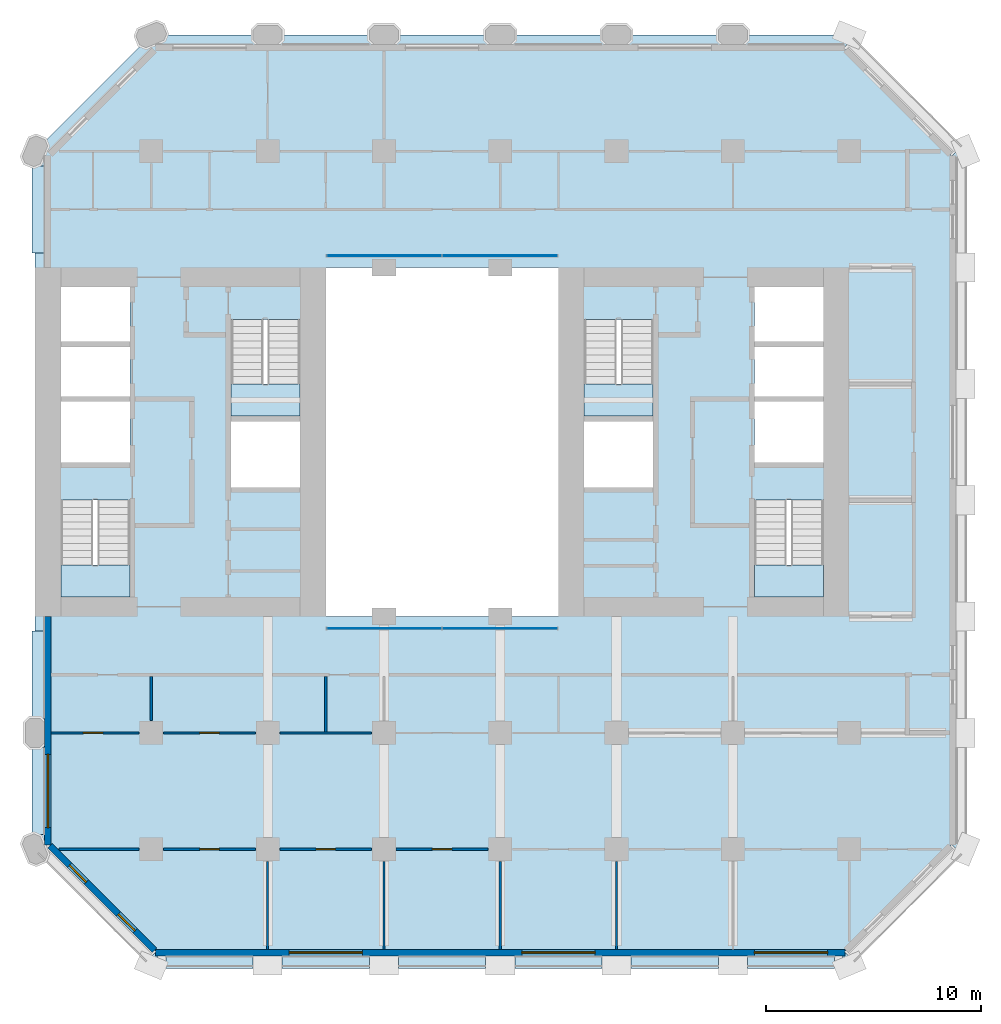
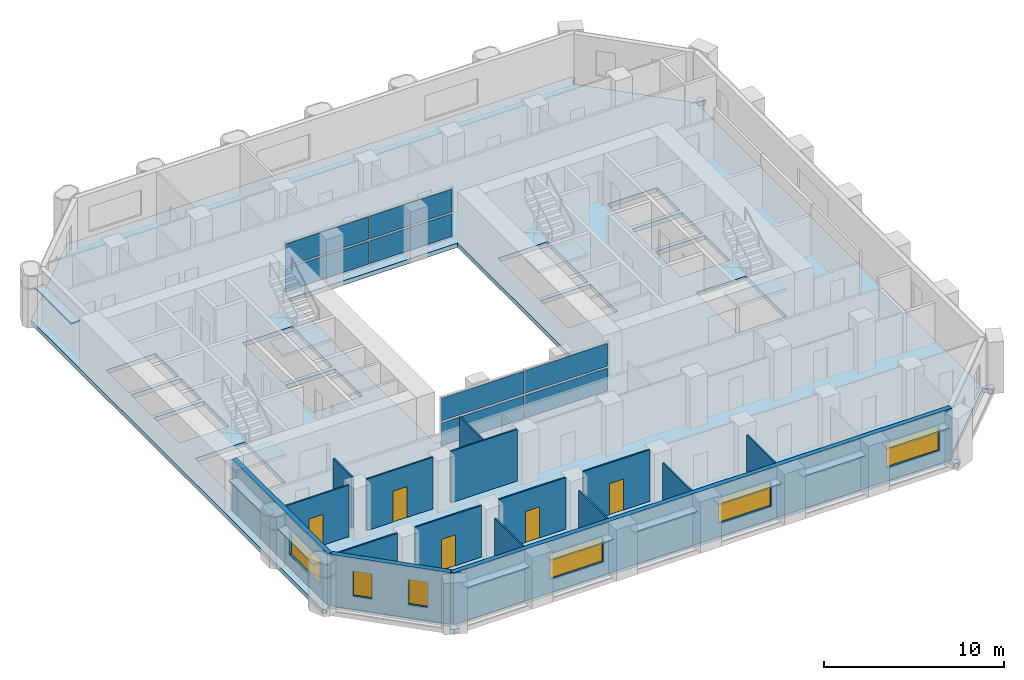
# One storey, part 7 of 14: 17 plates, 16 walls, 6 windows, 5 doors, 5 slabs, 11 openings, 6 elements without a shape of their own.
"""IFC4 building model written with IfcOpenShell, lengths in metres."""

import ifcopenshell
import ifcopenshell.guid

model = None  # the IFC model being written
_history = None  # IfcOwnerHistory: only IFC2X3 demands one
_inside = {}  # id of a spatial element -> (the spatial element, [elements in it])
_under = {}  # id of a project, library or spatial element -> (it, [spatial elements below it])
_declared = {}  # id of a project -> (the project, [libraries it declares])
_typed = {}  # id of a type object -> (the type object, [elements of that type])
_made_of = {}  # id of a material, layer set ... -> (it, [elements and type objects made of it])


def new_model(schema):
    """Start an empty IFC model of exactly this schema.

    Asked for "IFC4X3", IfcOpenShell would pick the latest addendum, in which some entities
    have other attributes; the version numbers below select the first issue.
    IFC2X3 requires an IfcOwnerHistory on every rooted entity: one is made here for all.
    """
    global model, _history
    if schema == "IFC4X3":
        model = ifcopenshell.file(schema_version=(4, 3, 0, 0))
    else:
        model = ifcopenshell.file(schema=schema)
    _inside.clear()
    _under.clear()
    _declared.clear()
    _typed.clear()
    _made_of.clear()
    _history = None
    if model.schema == "IFC2X3":
        org = make("IfcOrganization", Name="unknown")
        user = make(
            "IfcPersonAndOrganization",
            ThePerson=make("IfcPerson", FamilyName="unknown"),
            TheOrganization=org,
        )
        app = make(
            "IfcApplication",
            ApplicationDeveloper=org,
            Version="unknown",
            ApplicationFullName="unknown",
            ApplicationIdentifier="unknown",
        )
        _history = make(
            "IfcOwnerHistory",
            OwningUser=user,
            OwningApplication=app,
            ChangeAction="ADDED",
            CreationDate=0,
        )
    return model


def make(cls, **values):
    """One entity of the class cls with the attributes given. An attribute that is None is left unset."""
    return model.create_entity(
        cls, **{name: value for name, value in values.items() if value is not None}
    )


def rooted(cls, **values):
    """An entity with a GlobalId (a new one), such as an element, a storey or a relation."""
    return make(cls, GlobalId=ifcopenshell.guid.new(), OwnerHistory=_history, **values)


def si_unit(unit_type, name, prefix=None):
    """IfcSIUnit, for example si_unit("LENGTHUNIT", "METRE", prefix="MILLI")."""
    return make("IfcSIUnit", UnitType=unit_type, Prefix=prefix, Name=name)


def assignment(units):
    """IfcUnitAssignment: the units of a project."""
    return None if units is None else make("IfcUnitAssignment", Units=units)


def point(xyz):
    """IfcCartesianPoint."""
    return None if xyz is None else make("IfcCartesianPoint", Coordinates=xyz)


def direction(xyz):
    """IfcDirection."""
    return None if xyz is None else make("IfcDirection", DirectionRatios=xyz)


def frame(location, z_axis=None, x_axis=None):
    """IfcAxis2Placement3D, a coordinate frame: its origin and axes. An axis left out is left unset."""
    return make(
        "IfcAxis2Placement3D",
        Location=point(location),
        Axis=direction(z_axis),
        RefDirection=direction(x_axis),
    )


def frame_2d(location, x_axis=None):
    """IfcAxis2Placement2D, a coordinate frame in the plane: its origin and x axis."""
    return make(
        "IfcAxis2Placement2D", Location=point(location), RefDirection=direction(x_axis)
    )


def origin():
    """The frame at (0, 0, 0) with its axes left unset."""
    return frame((0.0, 0.0, 0.0))


def origin_2d():
    """The frame at (0, 0) in the plane with its x axis left unset."""
    return frame_2d((0.0, 0.0))


def place(relative_to, where):
    """IfcLocalPlacement: puts the frame where relative to a parent placement (None: the world)."""
    return make(
        "IfcLocalPlacement", PlacementRelTo=relative_to, RelativePlacement=where
    )


def context(
    kind, dimensions, precision=None, world=None, true_north=None, identifier=None
):
    """IfcGeometricRepresentationContext, for example the 3D "Model" context."""
    return make(
        "IfcGeometricRepresentationContext",
        ContextIdentifier=identifier,
        ContextType=kind,
        CoordinateSpaceDimension=dimensions,
        Precision=precision,
        WorldCoordinateSystem=world,
        TrueNorth=true_north,
    )


def subcontext(parent, identifier, kind, view, scale=None):
    """IfcGeometricRepresentationSubContext, for example "Body" below "Model"."""
    return make(
        "IfcGeometricRepresentationSubContext",
        ContextIdentifier=identifier,
        ContextType=kind,
        ParentContext=parent,
        TargetScale=scale,
        TargetView=view,
    )


def project(units=None, contexts=None):
    """IfcProject with its units and contexts."""
    return rooted(
        "IfcProject",
        Name="project",
        RepresentationContexts=contexts,
        UnitsInContext=assignment(units),
    )


def spatial(cls, under=None, at=None, **own):
    """A site, building, storey or space (cls), placed at a placement, below another one or the project."""
    s = rooted(cls, ObjectPlacement=at, **own)
    if under is not None:
        _under.setdefault(under.id(), (under, []))[1].append(s)
    return s


def polyline(points):
    """IfcPolyline through the points."""
    return make("IfcPolyline", Points=[point(p) for p in points])


def profile(cls, at=None, kind="AREA", **sizes):
    """A parametric profile (cls). Its sizes go by their IFC names, for example OverallWidth=200.0."""
    return make(cls, ProfileType=kind, Position=at, **sizes)


def rectangle(**sizes):
    """IfcRectangleProfileDef."""
    return profile("IfcRectangleProfileDef", **sizes)


def outline(outer, holes=None, kind="AREA"):
    """IfcArbitraryClosedProfileDef: a profile drawn as a closed curve; with holes, ...WithVoids."""
    if holes is None:
        return make("IfcArbitraryClosedProfileDef", ProfileType=kind, OuterCurve=outer)
    return make(
        "IfcArbitraryProfileDefWithVoids",
        ProfileType=kind,
        OuterCurve=outer,
        InnerCurves=holes,
    )


def extrude(swept, where, along, depth):
    """IfcExtrudedAreaSolid: the profile swept, set in the frame where, extruded along a direction by depth."""
    return make(
        "IfcExtrudedAreaSolid",
        SweptArea=swept,
        Position=where,
        ExtrudedDirection=direction(along),
        Depth=depth,
    )


def shape(context_of_items, identifier, shape_type, items):
    """IfcShapeRepresentation: the items that make up one representation, for example the "Body"."""
    return make(
        "IfcShapeRepresentation",
        ContextOfItems=context_of_items,
        RepresentationIdentifier=identifier,
        RepresentationType=shape_type,
        Items=items,
    )


def material(Name=None, Category=None):
    """IfcMaterial."""
    return make("IfcMaterial", Name=Name, Category=Category)


def layer(
    of_material, thickness, ventilated=None, Name=None, Category=None, Priority=None
):
    """IfcMaterialLayer: one layer of a wall or slab, of a material (None: an air gap)."""
    return make(
        "IfcMaterialLayer",
        Material=of_material,
        LayerThickness=thickness,
        IsVentilated=ventilated,
        Name=Name,
        Category=Category,
        Priority=Priority,
    )


def layer_set(layers, Name=None):
    """IfcMaterialLayerSet."""
    return make("IfcMaterialLayerSet", MaterialLayers=layers, LayerSetName=Name)


def made_of(thing, what):
    """Note that an element or type object is made of a material, layer set ...; save() writes the relation."""
    if what is not None:
        _made_of.setdefault(what.id(), (what, []))[1].append(thing)
    return thing


def type_object(cls, material=None, **own):
    """A type object (cls), such as IfcWallType, which elements share."""
    return made_of(rooted(cls, **own), material)


def element(
    cls,
    number,
    at=None,
    inside=None,
    cuts=None,
    type_object=None,
    material=None,
    context=None,
    identifier="Body",
    shape_type=None,
    held_by="IfcProductDefinitionShape",
    body=None,
    shapes=None,
    **own,
):
    """One element of the class cls, such as IfcWall. Its Tag is "e" and its number.

    at: its placement. inside: the storey or other place that contains it. cuts: it is an
    opening in that element (IfcRelVoidsElement). A single representation is given by context,
    identifier, shape_type and body (its items); several are given by shapes. held_by: the class
    of the entity that holds the representations. save() writes the other relations.
    """
    e = rooted(cls, Tag="e%d" % number, ObjectPlacement=at, **own)
    if body is not None:
        shapes = [shape(context, identifier, shape_type, body)]
    if shapes is not None:
        e.Representation = make(held_by, Representations=shapes)
    if inside is not None:
        _inside.setdefault(inside.id(), (inside, []))[1].append(e)
    if cuts is not None:
        rooted(
            "IfcRelVoidsElement", RelatingBuildingElement=cuts, RelatedOpeningElement=e
        )
    if type_object is not None:
        _typed.setdefault(type_object.id(), (type_object, []))[1].append(e)
    return made_of(e, material)


def fill(opening, filler):
    """IfcRelFillsElement: the door or window that sits in an opening."""
    return rooted(
        "IfcRelFillsElement",
        RelatingOpeningElement=opening,
        RelatedBuildingElement=filler,
    )


def aggregate(whole, parts):
    """IfcRelAggregates: a whole, such as a stair, and the parts it consists of."""
    return rooted("IfcRelAggregates", RelatingObject=whole, RelatedObjects=parts)


def save(model, path):
    """Write the relations noted so far, then the file.

    IfcRelAggregates (storeys below a building ...), IfcRelContainedInSpatialStructure (elements
    in a storey), IfcRelDefinesByType, IfcRelAssociatesMaterial and IfcRelDeclares: one each for
    every whole, place, type object, material and project.
    """
    for whole, parts in _under.values():
        aggregate(whole, parts)
    for where, things in _inside.values():
        rooted(
            "IfcRelContainedInSpatialStructure",
            RelatedElements=things,
            RelatingStructure=where,
        )
    for kind, things in _typed.values():
        rooted("IfcRelDefinesByType", RelatedObjects=things, RelatingType=kind)
    for what, things in _made_of.values():
        rooted("IfcRelAssociatesMaterial", RelatedObjects=things, RelatingMaterial=what)
    for by, libraries in _declared.values():
        rooted("IfcRelDeclares", RelatingContext=by, RelatedDefinitions=libraries)
    model.write(path)


model = new_model("IFC4")

# Units and contexts
model_context = context("Model", 3, precision=1e-05, world=origin(), true_north=direction((0.0, 1.0)))
body_context = subcontext(model_context, "Body", "Model", "MODEL_VIEW")
ifc_project = project(units=[si_unit("LENGTHUNIT", "METRE"), si_unit("AREAUNIT", "SQUARE_METRE"), si_unit("VOLUMEUNIT", "CUBIC_METRE"), si_unit("PLANEANGLEUNIT", "RADIAN"), si_unit("MASSUNIT", "GRAM", prefix="KILO")], contexts=[model_context])

# Site, building, storey
site_placement = place(None, origin())
site = spatial("IfcSite", under=ifc_project, at=site_placement, CompositionType="ELEMENT")
building_placement = place(site_placement, origin())
building = spatial("IfcBuilding", under=site, at=building_placement, Name="Tabaq Tower and Sports Hall", CompositionType="ELEMENT")
storey_placement = place(building_placement, frame((0.0, 0.0, 52.60009765625)))
storey = spatial("IfcBuildingStorey", under=building, at=storey_placement, Name="L11", CompositionType="ELEMENT", Elevation=52.60009765625)

# Curtain wall, plates
ifc_material_1 = material(Name="Aluminium alloy 6063-T6 framed glazing", Category="aluminium")
curtain_wall_type = type_object("IfcCurtainWallType", Name="CW1 curtain wall", PredefinedType="USERDEFINED", material=ifc_material_1)
curtain_wall_1_placement = place(storey_placement, origin())
curtain_wall_1 = element("IfcCurtainWall", 1, at=curtain_wall_1_placement, inside=storey, type_object=curtain_wall_type, Name="Atrium glazing L11 S", ObjectType="ATRIUM ENCLOSURE", PredefinedType="USERDEFINED")
ifc_material_2 = material(Name="Clear low-emissivity glass 28 mm", Category="glass")
ifc_layer_1 = layer(ifc_material_2, 0.028076171875)
ifc_layer_set_1 = layer_set([ifc_layer_1], Name="CW1 glass panel 28")
plate_type_1 = type_object("IfcPlateType", Name="CW1 glass panel 28", PredefinedType="CURTAIN_PANEL", material=ifc_layer_set_1)
plate_1_placement = place(storey_placement, frame((21.614990234375, 15.64990234375, 0.139892578125), z_axis=(0.0, 0.0, 1.0), x_axis=(1.0, 0.0, 0.0)))
plate_1 = element("IfcPlate", 2, at=plate_1_placement, type_object=plate_type_1, Name="CW1 panel 1.1", PredefinedType="CURTAIN_PANEL", context=body_context, shape_type="SweptSolid", body=[
    extrude(rectangle(XDim=5.31005859375, YDim=0.028076171875, at=origin_2d()), origin(), (0.0, 0.0, 1.0), 1.5400390625),
])
plate_2_placement = place(storey_placement, frame((21.614990234375, 15.64990234375, 1.81982421875), z_axis=(0.0, 0.0, 1.0), x_axis=(1.0, 0.0, 0.0)))
plate_2 = element("IfcPlate", 3, at=plate_2_placement, type_object=plate_type_1, Name="CW1 panel 1.2", PredefinedType="CURTAIN_PANEL", context=body_context, shape_type="SweptSolid", body=[
    extrude(rectangle(XDim=5.31005859375, YDim=0.028076171875, at=origin_2d()), origin(), (0.0, 0.0, 1.0), 1.5400390625),
])
plate_3_placement = place(storey_placement, frame((26.985107421875, 15.64990234375, 0.139892578125), z_axis=(0.0, 0.0, 1.0), x_axis=(1.0, 0.0, 0.0)))
plate_3 = element("IfcPlate", 4, at=plate_3_placement, type_object=plate_type_1, Name="CW1 panel 2.1", PredefinedType="CURTAIN_PANEL", context=body_context, shape_type="SweptSolid", body=[
    extrude(rectangle(XDim=5.31005859375, YDim=0.028076171875, at=origin_2d()), origin(), (0.0, 0.0, 1.0), 1.5400390625),
])
plate_4_placement = place(storey_placement, frame((26.985107421875, 15.64990234375, 1.81982421875), z_axis=(0.0, 0.0, 1.0), x_axis=(1.0, 0.0, 0.0)))
plate_4 = element("IfcPlate", 5, at=plate_4_placement, type_object=plate_type_1, Name="CW1 panel 2.2", PredefinedType="CURTAIN_PANEL", context=body_context, shape_type="SweptSolid", body=[
    extrude(rectangle(XDim=5.31005859375, YDim=0.028076171875, at=origin_2d()), origin(), (0.0, 0.0, 1.0), 1.5400390625),
])
aggregate(curtain_wall_1, [plate_1, plate_2, plate_3, plate_4])

curtain_wall_2_placement = place(storey_placement, origin())
curtain_wall_2 = element("IfcCurtainWall", 6, at=curtain_wall_2_placement, inside=storey, type_object=curtain_wall_type, Name="Atrium glazing L11 N", ObjectType="ATRIUM ENCLOSURE", PredefinedType="USERDEFINED")
plate_5_placement = place(storey_placement, frame((21.614990234375, 32.949951171875, 0.139892578125), z_axis=(0.0, 0.0, 1.0), x_axis=(1.0, 0.0, 0.0)))
plate_5 = element("IfcPlate", 7, at=plate_5_placement, type_object=plate_type_1, Name="CW1 panel 1.1", PredefinedType="CURTAIN_PANEL", context=body_context, shape_type="SweptSolid", body=[
    extrude(rectangle(XDim=5.31005859375, YDim=0.028076171875, at=origin_2d()), origin(), (0.0, 0.0, 1.0), 1.5400390625),
])
plate_6_placement = place(storey_placement, frame((21.614990234375, 32.949951171875, 1.81982421875), z_axis=(0.0, 0.0, 1.0), x_axis=(1.0, 0.0, 0.0)))
plate_6 = element("IfcPlate", 8, at=plate_6_placement, type_object=plate_type_1, Name="CW1 panel 1.2", PredefinedType="CURTAIN_PANEL", context=body_context, shape_type="SweptSolid", body=[
    extrude(rectangle(XDim=5.31005859375, YDim=0.028076171875, at=origin_2d()), origin(), (0.0, 0.0, 1.0), 1.5400390625),
])
plate_7_placement = place(storey_placement, frame((26.985107421875, 32.949951171875, 0.139892578125), z_axis=(0.0, 0.0, 1.0), x_axis=(1.0, 0.0, 0.0)))
plate_7 = element("IfcPlate", 9, at=plate_7_placement, type_object=plate_type_1, Name="CW1 panel 2.1", PredefinedType="CURTAIN_PANEL", context=body_context, shape_type="SweptSolid", body=[
    extrude(rectangle(XDim=5.31005859375, YDim=0.028076171875, at=origin_2d()), origin(), (0.0, 0.0, 1.0), 1.5400390625),
])
plate_8_placement = place(storey_placement, frame((26.985107421875, 32.949951171875, 1.81982421875), z_axis=(0.0, 0.0, 1.0), x_axis=(1.0, 0.0, 0.0)))
plate_8 = element("IfcPlate", 10, at=plate_8_placement, type_object=plate_type_1, Name="CW1 panel 2.2", PredefinedType="CURTAIN_PANEL", context=body_context, shape_type="SweptSolid", body=[
    extrude(rectangle(XDim=5.31005859375, YDim=0.028076171875, at=origin_2d()), origin(), (0.0, 0.0, 1.0), 1.5400390625),
])
aggregate(curtain_wall_2, [plate_5, plate_6, plate_7, plate_8])

# Stair, slab
ifc_material_3 = material(Name="Concrete C40/50", Category="concrete")
stair_type = type_object("IfcStairType", Name="Exit stair", PredefinedType="HALF_TURN_STAIR", material=ifc_material_3)
stair_1_placement = place(storey_placement, origin())
stair_1 = element("IfcStair", 11, at=stair_1_placement, inside=storey, type_object=stair_type, Name="L11 Exit stair ST1", PredefinedType="HALF_TURN_STAIR")
ifc_material_4 = material(Name="Concrete C40/50", Category="concrete")
ifc_layer_2 = layer(ifc_material_4, 0.199951171875)
ifc_layer_set_2 = layer_set([ifc_layer_2], Name="Exit stair landing")
slab_type_1 = type_object("IfcSlabType", Name="Exit stair landing", PredefinedType="LANDING", material=ifc_layer_set_2)
slab_1_placement = place(storey_placement, frame((0.0, 0.0, 1.699951171875)))
slab_1 = element("IfcSlab", 12, at=slab_1_placement, type_object=slab_type_1, Name="ST1 landing 1", PredefinedType="LANDING", context=body_context, shape_type="SweptSolid", body=[
    extrude(outline(polyline([(6.60009765625, 18.60009765625), (6.60009765625, 17.10009765625), (9.800048828125, 17.10009765625), (9.800048828125, 18.60009765625), (6.60009765625, 18.60009765625)])), origin(), (0.0, 0.0, 1.0), 0.199951171875),
])
aggregate(stair_1, [slab_1])

stair_2_placement = place(storey_placement, origin())
stair_2 = element("IfcStair", 13, at=stair_2_placement, inside=storey, type_object=stair_type, Name="L11 Exit stair ST2", PredefinedType="HALF_TURN_STAIR")
slab_2_placement = place(storey_placement, frame((0.0, 0.0, 1.699951171875)))
slab_2 = element("IfcSlab", 14, at=slab_2_placement, type_object=slab_type_1, Name="ST2 landing 1", PredefinedType="LANDING", context=body_context, shape_type="SweptSolid", body=[
    extrude(outline(polyline([(14.5, 27.0), (14.5, 25.5), (17.699951171875, 25.5), (17.699951171875, 27.0), (14.5, 27.0)])), origin(), (0.0, 0.0, 1.0), 0.199951171875),
])
aggregate(stair_2, [slab_2])

stair_3_placement = place(storey_placement, origin())
stair_3 = element("IfcStair", 15, at=stair_3_placement, inside=storey, type_object=stair_type, Name="L11 Exit stair ST3", PredefinedType="HALF_TURN_STAIR")
slab_3_placement = place(storey_placement, frame((0.0, 0.0, 1.699951171875)))
slab_3 = element("IfcSlab", 16, at=slab_3_placement, type_object=slab_type_1, Name="ST3 landing 1", PredefinedType="LANDING", context=body_context, shape_type="SweptSolid", body=[
    extrude(outline(polyline([(38.800048828125, 18.60009765625), (38.800048828125, 17.10009765625), (42.0, 17.10009765625), (42.0, 18.60009765625), (38.800048828125, 18.60009765625)])), origin(), (0.0, 0.0, 1.0), 0.199951171875),
])
aggregate(stair_3, [slab_3])

stair_4_placement = place(storey_placement, origin())
stair_4 = element("IfcStair", 17, at=stair_4_placement, inside=storey, type_object=stair_type, Name="L11 Exit stair ST4", PredefinedType="HALF_TURN_STAIR")
slab_4_placement = place(storey_placement, frame((0.0, 0.0, 1.699951171875)))
slab_4 = element("IfcSlab", 18, at=slab_4_placement, type_object=slab_type_1, Name="ST4 landing 1", PredefinedType="LANDING", context=body_context, shape_type="SweptSolid", body=[
    extrude(outline(polyline([(30.89990234375, 27.0), (30.89990234375, 25.5), (34.10009765625, 25.5), (34.10009765625, 27.0), (30.89990234375, 27.0)])), origin(), (0.0, 0.0, 1.0), 0.199951171875),
])
aggregate(stair_4, [slab_4])

# Slab
ifc_material_5 = material(Name="Concrete C40/50", Category="concrete")
ifc_layer_3 = layer(ifc_material_5, 0.300048828125)
ifc_layer_set_3 = layer_set([ifc_layer_3], Name="PT FLOOR SLAB 300 C40/50")
slab_type_2 = type_object("IfcSlabType", Name="PT FLOOR SLAB 300 C40/50", PredefinedType="FLOOR", material=ifc_layer_set_3)
slab_5_placement = place(storey_placement, frame((0.0, 0.0, -0.300048828125)))
element("IfcSlab", 19, at=slab_5_placement, inside=storey, type_object=slab_type_2, Name="Floor Slab L11", PredefinedType="FLOOR", context=body_context, shape_type="SweptSolid", body=[
    extrude(outline(polyline([(5.39990234375, 37.800048828125), (5.39990234375, 5.39990234375), (5.57666015625, 5.22314453125), (5.930419921875, 5.57666015625), (6.0009765625, 5.6474609375), (11.01318359375, 0.63525390625), (10.5888671875, 0.211181640625), (10.800048828125, 0.0), (11.0986328125, 0.0), (11.0986328125, 0.5), (11.0986328125, 0.60009765625), (42.9013671875, 0.60009765625), (42.9013671875, 0.5), (42.9013671875, 0.0), (43.199951171875, 0.0), (43.4111328125, 0.211181640625), (42.98681640625, 0.63525390625), (47.964599609375, 5.61328125), (48.035400390625, 5.54248046875), (48.388916015625, 5.18896484375), (48.60009765625, 5.39990234375), (48.60009765625, 5.698486328125), (48.10009765625, 5.698486328125), (48.0, 5.698486328125), (48.0, 37.50146484375), (48.10009765625, 37.50146484375), (48.60009765625, 37.50146484375), (48.60009765625, 37.800048828125), (48.388916015625, 38.010986328125), (48.035400390625, 37.657470703125), (47.964599609375, 37.5869140625), (42.952392578125, 42.598876953125), (43.023193359375, 42.669677734375), (43.376708984375, 43.023193359375), (43.199951171875, 43.199951171875), (10.800048828125, 43.199951171875), (5.39990234375, 37.800048828125)]), holes=[polyline([(6.60009765625, 21.599365234375), (9.800048828125, 21.599365234375), (9.800048828125, 17.10009765625), (6.60009765625, 17.10009765625), (6.60009765625, 21.599365234375)]), polyline([(17.699951171875, 25.25), (17.699951171875, 22.199951171875), (14.5, 22.199951171875), (14.5, 25.25), (17.699951171875, 25.25)]), polyline([(18.89990234375, 32.39990234375), (29.699951171875, 32.39990234375), (29.699951171875, 16.199951171875), (18.89990234375, 16.199951171875), (18.89990234375, 32.39990234375)]), polyline([(6.60009765625, 26.175048828125), (9.800048828125, 26.175048828125), (9.800048828125, 23.35009765625), (6.60009765625, 23.35009765625), (6.60009765625, 26.175048828125)]), polyline([(9.800048828125, 28.72509765625), (9.800048828125, 26.425048828125), (6.60009765625, 26.425048828125), (6.60009765625, 28.72509765625), (9.800048828125, 28.72509765625)]), polyline([(17.699951171875, 29.99951171875), (17.699951171875, 25.5), (14.5, 25.5), (14.5, 29.99951171875), (17.699951171875, 29.99951171875)]), polyline([(6.60009765625, 31.5), (9.800048828125, 31.5), (9.800048828125, 28.97509765625), (6.60009765625, 28.97509765625), (6.60009765625, 31.5)]), polyline([(42.0, 21.599365234375), (42.0, 17.10009765625), (38.800048828125, 17.10009765625), (38.800048828125, 21.599365234375), (42.0, 21.599365234375)]), polyline([(34.10009765625, 25.25), (34.10009765625, 22.199951171875), (30.89990234375, 22.199951171875), (30.89990234375, 25.25), (34.10009765625, 25.25)]), polyline([(42.0, 26.175048828125), (42.0, 23.35009765625), (38.800048828125, 23.35009765625), (38.800048828125, 26.175048828125), (42.0, 26.175048828125)]), polyline([(42.0, 28.72509765625), (42.0, 26.425048828125), (38.800048828125, 26.425048828125), (38.800048828125, 28.72509765625), (42.0, 28.72509765625)]), polyline([(34.10009765625, 29.99951171875), (34.10009765625, 25.5), (30.89990234375, 25.5), (30.89990234375, 29.99951171875), (34.10009765625, 29.99951171875)]), polyline([(42.0, 31.5), (42.0, 28.97509765625), (38.800048828125, 28.97509765625), (38.800048828125, 31.5), (42.0, 31.5)])]), origin(), (0.0, 0.0, 1.0), 0.300048828125),
])

# Plates
ifc_material_6 = material(Name="White precast concrete C60/75 blade", Category="concrete")
ifc_layer_4 = layer(ifc_material_6, 0.10009765625)
ifc_layer_set_4 = layer_set([ifc_layer_4], Name="White precast concrete C60/75 sunshade 100")
plate_type_2 = type_object("IfcPlateType", Name="White precast concrete C60/75 sunshade 100", PredefinedType="USERDEFINED", material=ifc_layer_set_4)
for number, where, z_axis, x_axis, name in (
    (20, (13.5, 0.14990234375, 2.599853515625), (0.0, 0.0, 1.0), (1.0, 0.0, 0.0), "Sunshade L11 S"),
    (21, (18.89990234375, 0.14990234375, 2.599853515625), (0.0, 0.0, 1.0), (1.0, 0.0, 0.0), "Sunshade L11 S"),
    (22, (24.300048828125, 0.14990234375, 2.599853515625), (0.0, 0.0, 1.0), (1.0, 0.0, 0.0), "Sunshade L11 S"),
    (23, (29.699951171875, 0.14990234375, 2.599853515625), (0.0, 0.0, 1.0), (1.0, 0.0, 0.0), "Sunshade L11 S"),
    (24, (35.10009765625, 0.14990234375, 2.599853515625), (0.0, 0.0, 1.0), (1.0, 0.0, 0.0), "Sunshade L11 S"),
    (25, (40.5, 0.14990234375, 2.599853515625), (0.0, 0.0, 1.0), (1.0, 0.0, 0.0), "Sunshade L11 S"),
    (26, (5.550048828125, 35.10009765625, 2.599853515625), (0.0, 0.0, 1.0), (0.0, -1.0, 0.0), "Sunshade L11 W"),
    (27, (5.550048828125, 13.5, 2.599853515625), (0.0, 0.0, 1.0), (0.0, -1.0, 0.0), "Sunshade L11 W"),
    (28, (5.550048828125, 8.10009765625, 2.599853515625), (0.0, 0.0, 1.0), (0.0, -1.0, 0.0), "Sunshade L11 W"),
):
    element("IfcPlate", number, at=place(storey_placement, frame(where, z_axis=z_axis, x_axis=x_axis)), inside=storey, type_object=plate_type_2, Name=name, ObjectType="SUNSHADE", PredefinedType="USERDEFINED", context=body_context, shape_type="SweptSolid", body=[
        extrude(rectangle(XDim=4.050048828125, YDim=0.60009765625, at=origin_2d()), origin(), (0.0, 0.0, 1.0), 0.10009765625),
    ])

# Wall, opening, door
ifc_material_7 = material(Name="Gypsum board on steel studs", Category="steel")
ifc_layer_5 = layer(ifc_material_7, 0.10009765625)
ifc_layer_set_5 = layer_set([ifc_layer_5], Name="Partition 100 Gypsum board")
wall_type_1 = type_object("IfcWallType", Name="Partition 100 Gypsum board", PredefinedType="PARTITIONING", material=ifc_layer_set_5)
wall_1_placement = place(storey_placement, frame((6.15087890625, 10.800048828125, 0.0), z_axis=(0.0, 0.0, 1.0), x_axis=(1.0, 0.0, 0.0)))
wall_1 = element("IfcWall", 29, at=wall_1_placement, inside=storey, type_object=wall_type_1, Name="Partition wall L11", PredefinedType="PARTITIONING", context=body_context, shape_type="SweptSolid", body=[
    extrude(rectangle(XDim=4.0791015625, YDim=0.10009765625, at=frame_2d((2.03955078125, 0.0))), origin(), (0.0, 0.0, 1.0), 3.5),
])
opening_1_placement = place(wall_1_placement, frame((1.4990234375, 0.0, 0.0)))
opening_1 = element("IfcOpeningElement", 30, at=opening_1_placement, cuts=wall_1, Name="Opening L11-030", PredefinedType="OPENING", context=body_context, shape_type="SweptSolid", body=[
    extrude(rectangle(XDim=0.89990234375, YDim=2.10009765625, at=frame_2d((0.449951171875, 1.050048828125))), frame((0.0, 0.050048828125, 0.0), z_axis=(0.0, -1.0, 0.0), x_axis=(1.0, 0.0, 0.0)), (0.0, 0.0, 1.0), 0.10009765625),
])
ifc_material_8 = material(Name="Timber leaf in steel frame", Category="steel")
door_type_1 = type_object("IfcDoorType", Name="Internal door 900 left hand", OperationType="SINGLE_SWING_LEFT", PredefinedType="DOOR", material=ifc_material_8)
door_1_placement = place(opening_1_placement, origin())
door_1 = element("IfcDoor", 31, at=door_1_placement, inside=storey, type_object=door_type_1, Name="Internal door L11-030", OperationType="SINGLE_SWING_LEFT", OverallHeight=2.10009765625, OverallWidth=0.89990234375, PredefinedType="DOOR", context=body_context, shape_type="SweptSolid", body=[
    extrude(rectangle(XDim=0.89990234375, YDim=2.10009765625, at=frame_2d((0.449951171875, 1.050048828125))), frame((0.0, 0.02490234375, 0.0), z_axis=(0.0, -1.0, 0.0), x_axis=(1.0, 0.0, 0.0)), (0.0, 0.0, 1.0), 0.050048828125),
])
fill(opening_1, door_1)

# Wall
wall_2_placement = place(storey_placement, frame((10.800048828125, 11.3701171875, 0.0), z_axis=(0.0, 0.0, 1.0), x_axis=(0.0, 1.0, 0.0)))
element("IfcWall", 32, at=wall_2_placement, inside=storey, type_object=wall_type_1, Name="Partition wall L11", PredefinedType="PARTITIONING", context=body_context, shape_type="SweptSolid", body=[
    extrude(rectangle(XDim=2.054931640625, YDim=0.10009765625, at=frame_2d((1.02734375, 0.0))), origin(), (0.0, 0.0, 1.0), 3.5),
])

# Wall, opening, door
wall_3_placement = place(storey_placement, frame((11.3701171875, 10.800048828125, 0.0), z_axis=(0.0, 0.0, 1.0), x_axis=(1.0, 0.0, 0.0)))
wall_3 = element("IfcWall", 33, at=wall_3_placement, inside=storey, type_object=wall_type_1, Name="Partition wall L11", PredefinedType="PARTITIONING", context=body_context, shape_type="SweptSolid", body=[
    extrude(rectangle(XDim=4.259765625, YDim=0.10009765625, at=frame_2d((2.1298828125, 0.0))), origin(), (0.0, 0.0, 1.0), 3.5),
])
opening_2_placement = place(wall_3_placement, frame((1.679931640625, 0.0, 0.0)))
opening_2 = element("IfcOpeningElement", 34, at=opening_2_placement, cuts=wall_3, Name="Opening L11-015", PredefinedType="OPENING", context=body_context, shape_type="SweptSolid", body=[
    extrude(rectangle(XDim=0.89990234375, YDim=2.10009765625, at=frame_2d((0.449951171875, 1.050048828125))), frame((0.0, 0.050048828125, 0.0), z_axis=(0.0, -1.0, 0.0), x_axis=(1.0, 0.0, 0.0)), (0.0, 0.0, 1.0), 0.10009765625),
])
ifc_material_9 = material(Name="Timber leaf in steel frame", Category="steel")
door_type_2 = type_object("IfcDoorType", Name="Internal door 900 right hand", OperationType="SINGLE_SWING_RIGHT", PredefinedType="DOOR", material=ifc_material_9)
door_2_placement = place(opening_2_placement, origin())
door_2 = element("IfcDoor", 35, at=door_2_placement, inside=storey, type_object=door_type_2, Name="Internal door L11-015", OperationType="SINGLE_SWING_RIGHT", OverallHeight=2.10009765625, OverallWidth=0.89990234375, PredefinedType="DOOR", context=body_context, shape_type="SweptSolid", body=[
    extrude(rectangle(XDim=0.89990234375, YDim=2.10009765625, at=frame_2d((0.449951171875, 1.050048828125))), frame((0.0, 0.02490234375, 0.0), z_axis=(0.0, -1.0, 0.0), x_axis=(1.0, 0.0, 0.0)), (0.0, 0.0, 1.0), 0.050048828125),
])
fill(opening_2, door_2)

# Walls
wall_4_placement = place(storey_placement, frame((18.89990234375, 10.85009765625, 0.0), z_axis=(0.0, 0.0, 1.0), x_axis=(0.0, 1.0, 0.0)))
element("IfcWall", 36, at=wall_4_placement, inside=storey, type_object=wall_type_1, Name="Partition wall L11", PredefinedType="PARTITIONING", context=body_context, shape_type="SweptSolid", body=[
    extrude(rectangle(XDim=2.574951171875, YDim=0.10009765625, at=frame_2d((1.28759765625, 0.0))), origin(), (0.0, 0.0, 1.0), 3.5),
])
wall_5_placement = place(storey_placement, frame((16.77001953125, 10.800048828125, 0.0), z_axis=(0.0, 0.0, 1.0), x_axis=(1.0, 0.0, 0.0)))
element("IfcWall", 37, at=wall_5_placement, inside=storey, type_object=wall_type_1, Name="Partition wall L11", PredefinedType="PARTITIONING", context=body_context, shape_type="SweptSolid", body=[
    extrude(rectangle(XDim=4.260009765625, YDim=0.10009765625, at=frame_2d((2.1298828125, 0.0))), origin(), (0.0, 0.0, 1.0), 3.5),
])
wall_6_placement = place(storey_placement, frame((6.51220703125, 5.39990234375, 0.0), z_axis=(0.0, 0.0, 1.0), x_axis=(1.0, 0.0, 0.0)))
element("IfcWall", 38, at=wall_6_placement, inside=storey, type_object=wall_type_1, Name="Partition wall L11", PredefinedType="PARTITIONING", context=body_context, shape_type="SweptSolid", body=[
    extrude(rectangle(XDim=3.7177734375, YDim=0.10009765625, at=frame_2d((1.85888671875, 0.0))), origin(), (0.0, 0.0, 1.0), 3.5),
])

# Wall, opening, door
wall_7_placement = place(storey_placement, frame((11.3701171875, 5.39990234375, 0.0), z_axis=(0.0, 0.0, 1.0), x_axis=(1.0, 0.0, 0.0)))
wall_7 = element("IfcWall", 39, at=wall_7_placement, inside=storey, type_object=wall_type_1, Name="Partition wall L11", PredefinedType="PARTITIONING", context=body_context, shape_type="SweptSolid", body=[
    extrude(rectangle(XDim=4.259765625, YDim=0.10009765625, at=frame_2d((2.1298828125, 0.0))), origin(), (0.0, 0.0, 1.0), 3.5),
])
opening_3_placement = place(wall_7_placement, frame((1.679931640625, 0.0, 0.0)))
opening_3 = element("IfcOpeningElement", 40, at=opening_3_placement, cuts=wall_7, Name="Opening L11-019", PredefinedType="OPENING", context=body_context, shape_type="SweptSolid", body=[
    extrude(rectangle(XDim=0.89990234375, YDim=2.10009765625, at=frame_2d((0.449951171875, 1.050048828125))), frame((0.0, 0.050048828125, 0.0), z_axis=(0.0, -1.0, 0.0), x_axis=(1.0, 0.0, 0.0)), (0.0, 0.0, 1.0), 0.10009765625),
])
door_3_placement = place(opening_3_placement, origin())
door_3 = element("IfcDoor", 41, at=door_3_placement, inside=storey, type_object=door_type_2, Name="Internal door L11-019", OperationType="SINGLE_SWING_RIGHT", OverallHeight=2.10009765625, OverallWidth=0.89990234375, PredefinedType="DOOR", context=body_context, shape_type="SweptSolid", body=[
    extrude(rectangle(XDim=0.89990234375, YDim=2.10009765625, at=frame_2d((0.449951171875, 1.050048828125))), frame((0.0, 0.02490234375, 0.0), z_axis=(0.0, -1.0, 0.0), x_axis=(1.0, 0.0, 0.0)), (0.0, 0.0, 1.0), 0.050048828125),
])
fill(opening_3, door_3)

wall_8_placement = place(storey_placement, frame((16.77001953125, 5.39990234375, 0.0), z_axis=(0.0, 0.0, 1.0), x_axis=(1.0, 0.0, 0.0)))
wall_8 = element("IfcWall", 42, at=wall_8_placement, inside=storey, type_object=wall_type_1, Name="Partition wall L11", PredefinedType="PARTITIONING", context=body_context, shape_type="SweptSolid", body=[
    extrude(rectangle(XDim=4.260009765625, YDim=0.10009765625, at=frame_2d((2.1298828125, 0.0))), origin(), (0.0, 0.0, 1.0), 3.5),
])
opening_4_placement = place(wall_8_placement, frame((1.679931640625, 0.0, 0.0)))
opening_4 = element("IfcOpeningElement", 43, at=opening_4_placement, cuts=wall_8, Name="Opening L11-020", PredefinedType="OPENING", context=body_context, shape_type="SweptSolid", body=[
    extrude(rectangle(XDim=0.89990234375, YDim=2.10009765625, at=frame_2d((0.449951171875, 1.050048828125))), frame((0.0, 0.050048828125, 0.0), z_axis=(0.0, -1.0, 0.0), x_axis=(1.0, 0.0, 0.0)), (0.0, 0.0, 1.0), 0.10009765625),
])
door_4_placement = place(opening_4_placement, origin())
door_4 = element("IfcDoor", 44, at=door_4_placement, inside=storey, type_object=door_type_2, Name="Internal door L11-020", OperationType="SINGLE_SWING_RIGHT", OverallHeight=2.10009765625, OverallWidth=0.89990234375, PredefinedType="DOOR", context=body_context, shape_type="SweptSolid", body=[
    extrude(rectangle(XDim=0.89990234375, YDim=2.10009765625, at=frame_2d((0.449951171875, 1.050048828125))), frame((0.0, 0.02490234375, 0.0), z_axis=(0.0, -1.0, 0.0), x_axis=(1.0, 0.0, 0.0)), (0.0, 0.0, 1.0), 0.050048828125),
])
fill(opening_4, door_4)

wall_9_placement = place(storey_placement, frame((22.169921875, 5.39990234375, 0.0), z_axis=(0.0, 0.0, 1.0), x_axis=(1.0, 0.0, 0.0)))
wall_9 = element("IfcWall", 45, at=wall_9_placement, inside=storey, type_object=wall_type_1, Name="Partition wall L11", PredefinedType="PARTITIONING", context=body_context, shape_type="SweptSolid", body=[
    extrude(rectangle(XDim=4.260009765625, YDim=0.10009765625, at=frame_2d((2.1298828125, 0.0))), origin(), (0.0, 0.0, 1.0), 3.5),
])
opening_5_placement = place(wall_9_placement, frame((1.679931640625, 0.0, 0.0)))
opening_5 = element("IfcOpeningElement", 46, at=opening_5_placement, cuts=wall_9, Name="Opening L11-021", PredefinedType="OPENING", context=body_context, shape_type="SweptSolid", body=[
    extrude(rectangle(XDim=0.89990234375, YDim=2.10009765625, at=frame_2d((0.449951171875, 1.050048828125))), frame((0.0, 0.050048828125, 0.0), z_axis=(0.0, -1.0, 0.0), x_axis=(1.0, 0.0, 0.0)), (0.0, 0.0, 1.0), 0.10009765625),
])
door_5_placement = place(opening_5_placement, origin())
door_5 = element("IfcDoor", 47, at=door_5_placement, inside=storey, type_object=door_type_2, Name="Internal door L11-021", OperationType="SINGLE_SWING_RIGHT", OverallHeight=2.10009765625, OverallWidth=0.89990234375, PredefinedType="DOOR", context=body_context, shape_type="SweptSolid", body=[
    extrude(rectangle(XDim=0.89990234375, YDim=2.10009765625, at=frame_2d((0.449951171875, 1.050048828125))), frame((0.0, 0.02490234375, 0.0), z_axis=(0.0, -1.0, 0.0), x_axis=(1.0, 0.0, 0.0)), (0.0, 0.0, 1.0), 0.050048828125),
])
fill(opening_5, door_5)

# Walls
for number, where, z_axis, x_axis, name in (
    (48, (16.199951171875, 0.7509765625, 0.0), (0.0, 0.0, 1.0), (0.0, 1.0, 0.0), "Partition wall L11"),
    (49, (21.60009765625, 0.7509765625, 0.0), (0.0, 0.0, 1.0), (0.0, 1.0, 0.0), "Partition wall L11"),
    (50, (27.0, 0.7509765625, 0.0), (0.0, 0.0, 1.0), (0.0, 1.0, 0.0), "Partition wall L11"),
    (51, (32.39990234375, 0.7509765625, 0.0), (0.0, 0.0, 1.0), (0.0, 1.0, 0.0), "Partition wall L11"),
):
    element("IfcWall", number, at=place(storey_placement, frame(where, z_axis=z_axis, x_axis=x_axis)), inside=storey, type_object=wall_type_1, Name=name, PredefinedType="PARTITIONING", context=body_context, shape_type="SweptSolid", body=[
        extrude(rectangle(XDim=4.0791015625, YDim=0.10009765625, at=frame_2d((2.03955078125, 0.0))), origin(), (0.0, 0.0, 1.0), 2.75),
    ])

# Wall, openings, windows
ifc_material_10 = material(Name="White precast concrete C60/75", Category="concrete")
ifc_layer_6 = layer(ifc_material_10, 0.300048828125)
ifc_layer_set_6 = layer_set([ifc_layer_6], Name="White precast concrete C60/75 external wall 300")
wall_type_2 = type_object("IfcWallType", Name="White precast concrete C60/75 external wall 300", PredefinedType="SOLIDWALL", material=ifc_layer_set_6)
wall_10_placement = place(storey_placement, frame((10.986328125, 0.60009765625, 0.0), z_axis=(0.0, 0.0, 1.0), x_axis=(1.0, 0.0, 0.0)))
wall_10 = element("IfcWall", 52, at=wall_10_placement, inside=storey, type_object=wall_type_2, Name="External Wall L11 S", PredefinedType="SOLIDWALL", context=body_context, shape_type="SweptSolid", body=[
    extrude(rectangle(XDim=32.02734375, YDim=0.300048828125, at=frame_2d((16.013671875, 0.0))), origin(), (0.0, 0.0, 1.0), 3.5),
])
opening_6_placement = place(wall_10_placement, frame((6.213623046875, 0.0, 0.89990234375)))
opening_6 = element("IfcOpeningElement", 53, at=opening_6_placement, cuts=wall_10, Name="Opening W1A", PredefinedType="OPENING", context=body_context, shape_type="SweptSolid", body=[
    extrude(rectangle(XDim=3.39990234375, YDim=1.699951171875, at=frame_2d((1.699951171875, 0.85009765625))), frame((0.0, 0.16015625, 0.0), z_axis=(0.0, -1.0, 0.0), x_axis=(1.0, 0.0, 0.0)), (0.0, 0.0, 1.0), 0.320068359375),
])
opening_7_placement = place(wall_10_placement, frame((17.013671875, 0.0, 0.89990234375)))
opening_7 = element("IfcOpeningElement", 54, at=opening_7_placement, cuts=wall_10, Name="Opening W1A", PredefinedType="OPENING", context=body_context, shape_type="SweptSolid", body=[
    extrude(rectangle(XDim=3.39990234375, YDim=1.699951171875, at=frame_2d((1.699951171875, 0.85009765625))), frame((0.0, 0.16015625, 0.0), z_axis=(0.0, -1.0, 0.0), x_axis=(1.0, 0.0, 0.0)), (0.0, 0.0, 1.0), 0.320068359375),
])
opening_8_placement = place(wall_10_placement, frame((27.813720703125, 0.0, 0.89990234375)))
opening_8 = element("IfcOpeningElement", 55, at=opening_8_placement, cuts=wall_10, Name="Opening W1A", PredefinedType="OPENING", context=body_context, shape_type="SweptSolid", body=[
    extrude(rectangle(XDim=3.39990234375, YDim=1.699951171875, at=frame_2d((1.699951171875, 0.85009765625))), frame((0.0, 0.16015625, 0.0), z_axis=(0.0, -1.0, 0.0), x_axis=(1.0, 0.0, 0.0)), (0.0, 0.0, 1.0), 0.320068359375),
])
ifc_material_11 = material(Name="Aluminium framed clear glazing", Category="aluminium")
window_type_1 = type_object("IfcWindowType", Name="Window W1A", PartitioningType="SINGLE_PANEL", PredefinedType="WINDOW", material=ifc_material_11)
window_1_placement = place(opening_6_placement, origin())
window_1 = element("IfcWindow", 56, at=window_1_placement, inside=storey, type_object=window_type_1, Name="Window W1A L11", OverallHeight=1.699951171875, OverallWidth=3.39990234375, PartitioningType="SINGLE_PANEL", PredefinedType="WINDOW", context=body_context, shape_type="SweptSolid", body=[
    extrude(rectangle(XDim=3.39990234375, YDim=1.699951171875, at=frame_2d((1.699951171875, 0.85009765625))), frame((0.0, 0.030029296875, 0.0), z_axis=(0.0, -1.0, 0.0), x_axis=(1.0, 0.0, 0.0)), (0.0, 0.0, 1.0), 0.06005859375),
])
fill(opening_6, window_1)
window_2_placement = place(opening_7_placement, origin())
window_2 = element("IfcWindow", 57, at=window_2_placement, inside=storey, type_object=window_type_1, Name="Window W1A L11", OverallHeight=1.699951171875, OverallWidth=3.39990234375, PartitioningType="SINGLE_PANEL", PredefinedType="WINDOW", context=body_context, shape_type="SweptSolid", body=[
    extrude(rectangle(XDim=3.39990234375, YDim=1.699951171875, at=frame_2d((1.699951171875, 0.85009765625))), frame((0.0, 0.030029296875, 0.0), z_axis=(0.0, -1.0, 0.0), x_axis=(1.0, 0.0, 0.0)), (0.0, 0.0, 1.0), 0.06005859375),
])
fill(opening_7, window_2)
window_3_placement = place(opening_8_placement, origin())
window_3 = element("IfcWindow", 58, at=window_3_placement, inside=storey, type_object=window_type_1, Name="Window W1A L11", OverallHeight=1.699951171875, OverallWidth=3.39990234375, PartitioningType="SINGLE_PANEL", PredefinedType="WINDOW", context=body_context, shape_type="SweptSolid", body=[
    extrude(rectangle(XDim=3.39990234375, YDim=1.699951171875, at=frame_2d((1.699951171875, 0.85009765625))), frame((0.0, 0.030029296875, 0.0), z_axis=(0.0, -1.0, 0.0), x_axis=(1.0, 0.0, 0.0)), (0.0, 0.0, 1.0), 0.06005859375),
])
fill(opening_8, window_3)

# Wall, opening, window
wall_11_placement = place(storey_placement, frame((6.0, 16.199951171875, 0.0), z_axis=(0.0, 0.0, 1.0), x_axis=(0.0, -1.0, 0.0)))
wall_11 = element("IfcWall", 59, at=wall_11_placement, inside=storey, type_object=wall_type_2, Name="External Wall L11 W", PredefinedType="SOLIDWALL", context=body_context, shape_type="SweptSolid", body=[
    extrude(rectangle(XDim=10.613525390625, YDim=0.300048828125, at=frame_2d((5.306640625, 0.0))), origin(), (0.0, 0.0, 1.0), 3.5),
])
opening_9_placement = place(wall_11_placement, frame((6.39990234375, 0.0, 0.89990234375)))
opening_9 = element("IfcOpeningElement", 60, at=opening_9_placement, cuts=wall_11, Name="Opening W1A", PredefinedType="OPENING", context=body_context, shape_type="SweptSolid", body=[
    extrude(rectangle(XDim=3.39990234375, YDim=1.699951171875, at=frame_2d((1.699951171875, 0.85009765625))), frame((0.0, 0.16015625, 0.0), z_axis=(0.0, -1.0, 0.0), x_axis=(1.0, 0.0, 0.0)), (0.0, 0.0, 1.0), 0.320068359375),
])
window_4_placement = place(opening_9_placement, origin())
window_4 = element("IfcWindow", 61, at=window_4_placement, inside=storey, type_object=window_type_1, Name="Window W1A L11", OverallHeight=1.699951171875, OverallWidth=3.39990234375, PartitioningType="SINGLE_PANEL", PredefinedType="WINDOW", context=body_context, shape_type="SweptSolid", body=[
    extrude(rectangle(XDim=3.39990234375, YDim=1.699951171875, at=frame_2d((1.699951171875, 0.85009765625))), frame((0.0, 0.030029296875, 0.0), z_axis=(0.0, -1.0, 0.0), x_axis=(1.0, 0.0, 0.0)), (0.0, 0.0, 1.0), 0.06005859375),
])
fill(opening_9, window_4)

# Wall, openings, windows
wall_12_placement = place(storey_placement, frame((6.098876953125, 5.549560546875, 0.0), z_axis=(0.0, 0.0, 1.0), x_axis=(0.707106781187, -0.707106781187, 0.0)))
wall_12 = element("IfcWall", 62, at=wall_12_placement, inside=storey, type_object=wall_type_2, Name="External Wall L11 SW", PredefinedType="SOLIDWALL", context=body_context, shape_type="SweptSolid", body=[
    extrude(rectangle(XDim=6.85986328125, YDim=0.300048828125, at=frame_2d((3.429931640625, 0.0))), origin(), (0.0, 0.0, 1.0), 3.5),
])
opening_10_placement = place(wall_12_placement, frame((1.27978515625, 0.0, 0.89990234375)))
opening_10 = element("IfcOpeningElement", 63, at=opening_10_placement, cuts=wall_12, Name="Opening W1B", PredefinedType="OPENING", context=body_context, shape_type="SweptSolid", body=[
    extrude(rectangle(XDim=1.10009765625, YDim=1.699951171875, at=frame_2d((0.550048828125, 0.85009765625))), frame((0.0, 0.16015625, 0.0), z_axis=(0.0, -1.0, 0.0), x_axis=(1.0, 0.0, 0.0)), (0.0, 0.0, 1.0), 0.320068359375),
])
opening_11_placement = place(wall_12_placement, frame((4.479736328125, 0.0, 0.89990234375)))
opening_11 = element("IfcOpeningElement", 64, at=opening_11_placement, cuts=wall_12, Name="Opening W1B", PredefinedType="OPENING", context=body_context, shape_type="SweptSolid", body=[
    extrude(rectangle(XDim=1.10009765625, YDim=1.699951171875, at=frame_2d((0.550048828125, 0.85009765625))), frame((0.0, 0.16015625, 0.0), z_axis=(0.0, -1.0, 0.0), x_axis=(1.0, 0.0, 0.0)), (0.0, 0.0, 1.0), 0.320068359375),
])
ifc_material_12 = material(Name="Aluminium framed clear glazing", Category="aluminium")
window_type_2 = type_object("IfcWindowType", Name="Window W1B", PartitioningType="SINGLE_PANEL", PredefinedType="WINDOW", material=ifc_material_12)
window_5_placement = place(opening_10_placement, origin())
window_5 = element("IfcWindow", 65, at=window_5_placement, inside=storey, type_object=window_type_2, Name="Window W1B L11", OverallHeight=1.699951171875, OverallWidth=1.10009765625, PartitioningType="SINGLE_PANEL", PredefinedType="WINDOW", context=body_context, shape_type="SweptSolid", body=[
    extrude(rectangle(XDim=1.10009765625, YDim=1.699951171875, at=frame_2d((0.550048828125, 0.85009765625))), frame((0.0, 0.030029296875, 0.0), z_axis=(0.0, -1.0, 0.0), x_axis=(1.0, 0.0, 0.0)), (0.0, 0.0, 1.0), 0.06005859375),
])
fill(opening_10, window_5)
window_6_placement = place(opening_11_placement, origin())
window_6 = element("IfcWindow", 66, at=window_6_placement, inside=storey, type_object=window_type_2, Name="Window W1B L11", OverallHeight=1.699951171875, OverallWidth=1.10009765625, PartitioningType="SINGLE_PANEL", PredefinedType="WINDOW", context=body_context, shape_type="SweptSolid", body=[
    extrude(rectangle(XDim=1.10009765625, YDim=1.699951171875, at=frame_2d((0.550048828125, 0.85009765625))), frame((0.0, 0.030029296875, 0.0), z_axis=(0.0, -1.0, 0.0), x_axis=(1.0, 0.0, 0.0)), (0.0, 0.0, 1.0), 0.06005859375),
])
fill(opening_11, window_6)

save(model, "model.ifc")
